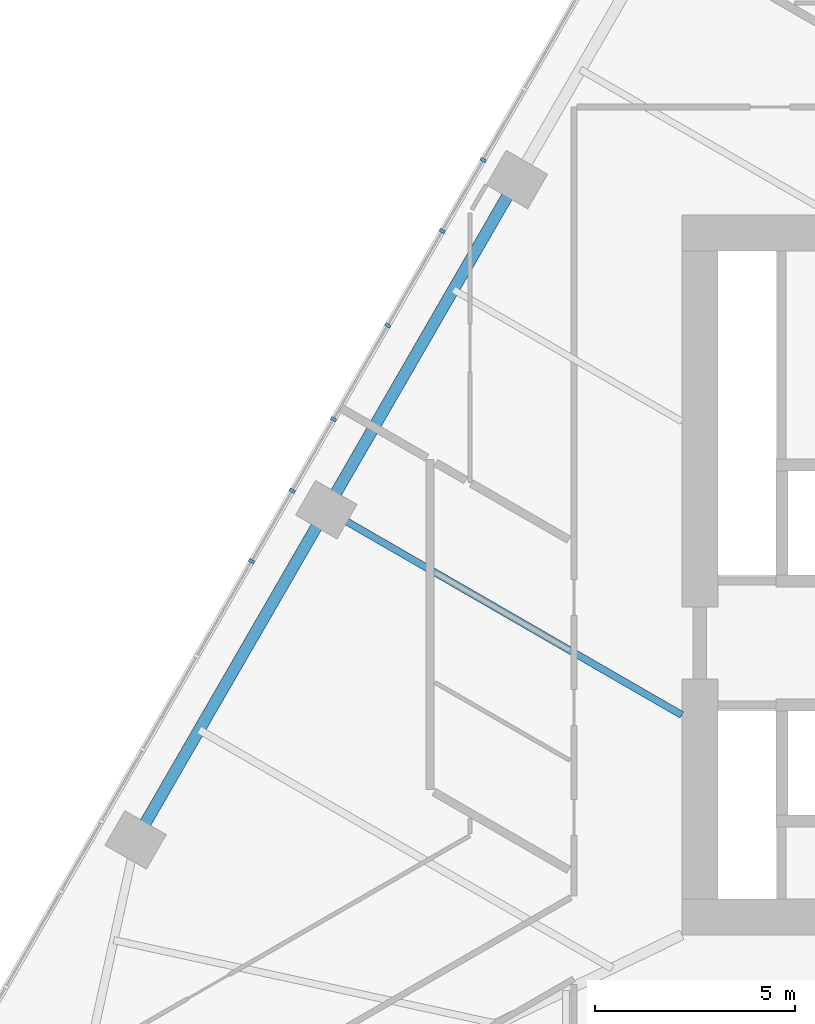
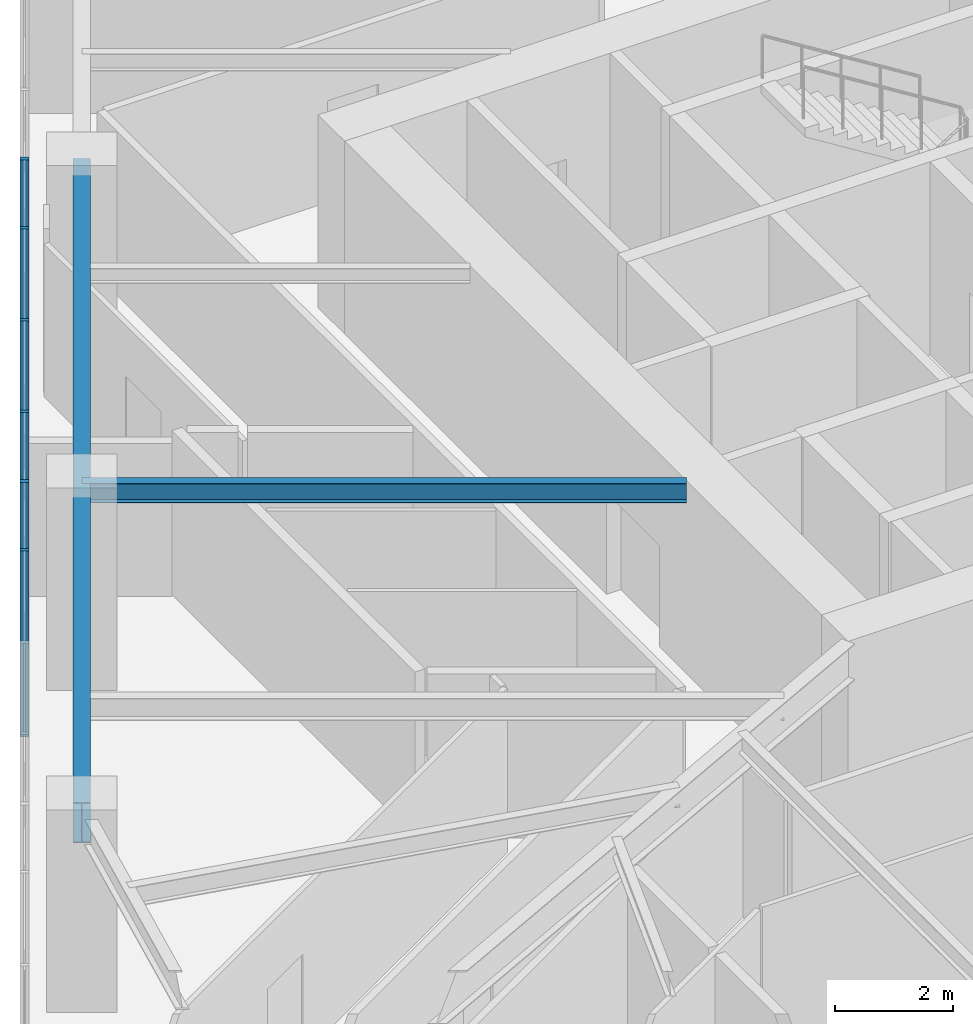
# One storey, part 3 of 26: 6 members, 2 beams, 1 element without a shape of its own.
"""IFC4 building model written with IfcOpenShell, lengths in metres."""

from ifc_helpers import new_model, si_unit, direction, frame, origin, origin_2d, place, context, subcontext, project, spatial, rectangle, i_section, extrude, material, layer, layer_set, material_profile, profile_set, type_object, element, aggregate, save


model = new_model("IFC4")

# Units and contexts
model_context = context("Model", 3, precision=1e-05, world=origin(), true_north=direction((0.0, 1.0)))
body_context = subcontext(model_context, "Body", "Model", "MODEL_VIEW")
ifc_project = project(units=[si_unit("LENGTHUNIT", "METRE"), si_unit("AREAUNIT", "SQUARE_METRE"), si_unit("VOLUMEUNIT", "CUBIC_METRE"), si_unit("PLANEANGLEUNIT", "RADIAN"), si_unit("MASSUNIT", "GRAM", prefix="KILO")], contexts=[model_context])

# Site, building, storey
site_placement = place(None, origin())
site = spatial("IfcSite", under=ifc_project, at=site_placement, CompositionType="ELEMENT")
building_placement = place(site_placement, origin())
building = spatial("IfcBuilding", under=site, at=building_placement, Name="Firuza Gate Tower and Library", CompositionType="ELEMENT")
storey_placement = place(building_placement, frame((0.0, 0.0, 65.199951171875)))
storey = spatial("IfcBuildingStorey", under=building, at=storey_placement, Name="L14", CompositionType="ELEMENT", Elevation=65.199951171875)

# Curtain wall, members
ifc_material_1 = material(Name="Aluminium 6063-T6", Category="aluminium")
ifc_layer = layer(ifc_material_1, 0.14990234375)
ifc_layer_set = layer_set([ifc_layer], Name="Unitised curtain wall, offices")
curtain_wall_type = type_object("IfcCurtainWallType", Name="Unitised curtain wall, offices", PredefinedType="NOTDEFINED", material=ifc_layer_set)
curtain_wall_placement = place(storey_placement, origin())
curtain_wall = element("IfcCurtainWall", 1, at=curtain_wall_placement, inside=storey, type_object=curtain_wall_type, Name="CW1 L14 W face", PredefinedType="NOTDEFINED")
ifc_material_2 = material(Name="Aluminium 6063-T6", Category="aluminium")
ifc_material_profile_1 = material_profile(ifc_material_2, rectangle(XDim=0.14990234375, YDim=0.080078125, at=origin_2d()))
ifc_profile_set_1 = profile_set([ifc_material_profile_1], Name="Aluminium 6063-T6")
member_type = type_object("IfcMemberType", Name="Curtain wall mullion 80x150", PredefinedType="MULLION", material=ifc_profile_set_1)
member_1_placement = place(storey_placement, frame((57.033447265625, 85.373046875, 0.150146484375), z_axis=(0.0, 0.0, 1.0), x_axis=(0.866025403784, -0.5, 0.0)))
member_1 = element("IfcMember", 2, at=member_1_placement, type_object=member_type, Name="Mullion", PredefinedType="MULLION", context=body_context, shape_type="SweptSolid", body=[
    extrude(rectangle(XDim=0.14990234375, YDim=0.080078125, at=origin_2d()), origin(), (0.0, 0.0, 1.0), 3.849853515625),
])
member_2_placement = place(storey_placement, frame((54.646240234375, 81.23828125, 0.150146484375), z_axis=(0.0, 0.0, 1.0), x_axis=(0.866025403784, -0.5, 0.0)))
member_2 = element("IfcMember", 3, at=member_2_placement, type_object=member_type, Name="Mullion", PredefinedType="MULLION", context=body_context, shape_type="SweptSolid", body=[
    extrude(rectangle(XDim=0.14990234375, YDim=0.080078125, at=origin_2d()), origin(), (0.0, 0.0, 1.0), 3.849853515625),
])
member_3_placement = place(storey_placement, frame((52.259033203125, 77.103515625, 0.150146484375), z_axis=(0.0, 0.0, 1.0), x_axis=(0.866025403784, -0.5, 0.0)))
member_3 = element("IfcMember", 4, at=member_3_placement, type_object=member_type, Name="Mullion", PredefinedType="MULLION", context=body_context, shape_type="SweptSolid", body=[
    extrude(rectangle(XDim=0.14990234375, YDim=0.080078125, at=origin_2d()), origin(), (0.0, 0.0, 1.0), 3.849853515625),
])
member_4_placement = place(storey_placement, frame((56.008544921875, 83.597900390625, 0.150146484375), z_axis=(0.0, 0.0, 1.0), x_axis=(0.866025403784, -0.5, 0.0)))
member_4 = element("IfcMember", 5, at=member_4_placement, type_object=member_type, Name="Mullion", PredefinedType="MULLION", context=body_context, shape_type="SweptSolid", body=[
    extrude(rectangle(XDim=0.14990234375, YDim=0.080078125, at=origin_2d()), origin(), (0.0, 0.0, 1.0), 3.849853515625),
])
member_5_placement = place(storey_placement, frame((53.291015625, 78.89111328125, 0.150146484375), z_axis=(0.0, 0.0, 1.0), x_axis=(0.866025403784, -0.5, 0.0)))
member_5 = element("IfcMember", 6, at=member_5_placement, type_object=member_type, Name="Mullion", PredefinedType="MULLION", context=body_context, shape_type="SweptSolid", body=[
    extrude(rectangle(XDim=0.14990234375, YDim=0.080078125, at=origin_2d()), origin(), (0.0, 0.0, 1.0), 3.849853515625),
])
member_6_placement = place(storey_placement, frame((51.2412109375, 75.3408203125, 0.150146484375), z_axis=(0.0, 0.0, 1.0), x_axis=(0.866025403784, -0.5, 0.0)))
member_6 = element("IfcMember", 7, at=member_6_placement, type_object=member_type, Name="Mullion", PredefinedType="MULLION", context=body_context, shape_type="SweptSolid", body=[
    extrude(rectangle(XDim=0.14990234375, YDim=0.080078125, at=origin_2d()), origin(), (0.0, 0.0, 1.0), 3.849853515625),
])
aggregate(curtain_wall, [member_1, member_2, member_3, member_4, member_5, member_6])

# Beams
ifc_material_3 = material(Name="Steel S355", Category="steel")
ifc_material_profile_2 = material_profile(ifc_material_3, i_section(OverallWidth=0.177978515625, OverallDepth=0.406982421875, WebThickness=0.0078125, FlangeThickness=0.0126953125, at=origin_2d()))
ifc_profile_set_2 = profile_set([ifc_material_profile_2], Name="Steel S355")
beam_type_1 = type_object("IfcBeamType", Name="W410x60 Floor beam", PredefinedType="JOIST", material=ifc_profile_set_2)
beam_1_placement = place(storey_placement, frame((53.110595703125, 76.62841796875, 3.796630859375), z_axis=(0.866024380585, -0.50000177223, 0.0), x_axis=(0.50000177223, 0.866024380585, 0.0)))
element("IfcBeam", 8, at=beam_1_placement, inside=storey, type_object=beam_type_1, Name="Floor beam L14 s84", PredefinedType="JOIST", context=body_context, shape_type="SweptSolid", body=[
    extrude(i_section(OverallWidth=0.177978515625, OverallDepth=0.406982421875, WebThickness=0.0078125, FlangeThickness=0.0126953125, at=origin_2d()), origin(), (0.0, 0.0, 1.0), 10.2646484375),
])
ifc_material_4 = material(Name="Steel S355", Category="steel")
ifc_material_profile_3 = material_profile(ifc_material_4, i_section(OverallWidth=0.2919921875, OverallDepth=0.8349609375, WebThickness=0.013916015625, FlangeThickness=0.018798828125, at=origin_2d()))
ifc_profile_set_3 = profile_set([ifc_material_profile_3], Name="Steel S355")
beam_type_2 = type_object("IfcBeamType", Name="W840x176 Edge beam", PredefinedType="SPANDREL", material=ifc_profile_set_3)
beam_2_placement = place(storey_placement, frame((57.877685546875, 84.885498046875, 3.58251953125), z_axis=(-0.499998781384, -0.866026107351, 0.0), x_axis=(0.866026107351, -0.499998781384, 0.0)))
element("IfcBeam", 9, at=beam_2_placement, inside=storey, type_object=beam_type_2, Name="Edge beam L14 e82", PredefinedType="SPANDREL", context=body_context, shape_type="SweptSolid", body=[
    extrude(i_section(OverallWidth=0.2919921875, OverallDepth=0.8349609375, WebThickness=0.013916015625, FlangeThickness=0.018798828125, at=origin_2d()), origin(), (0.0, 0.0, 1.0), 19.06884765625),
])

save(model, "model.ifc")
